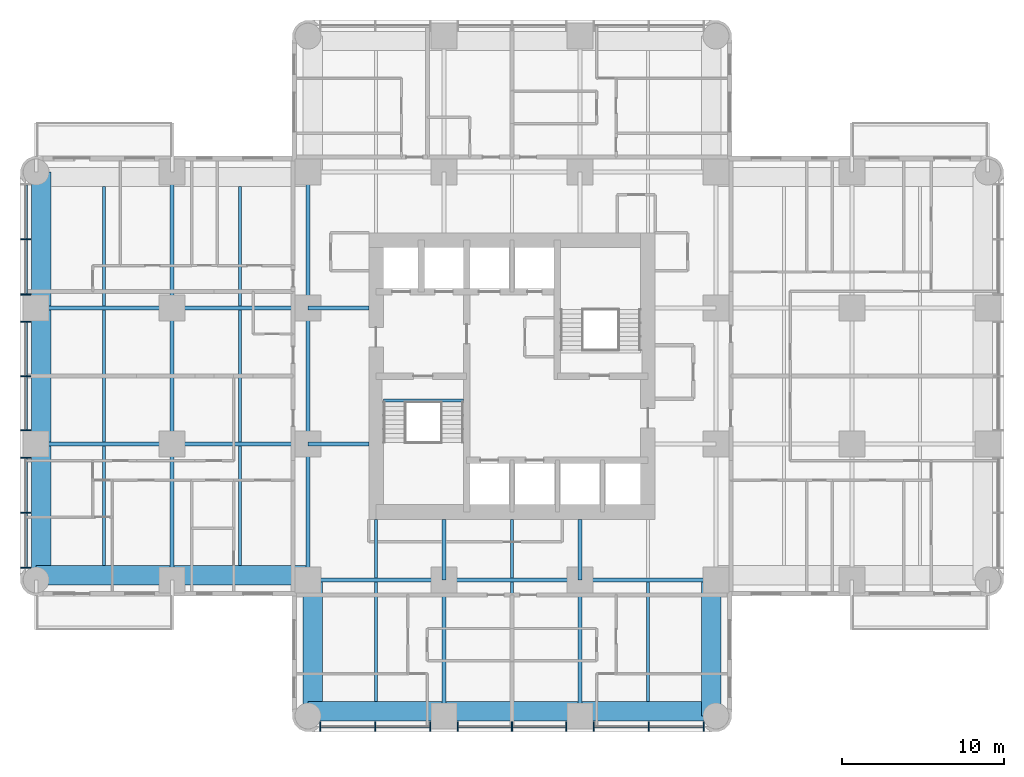
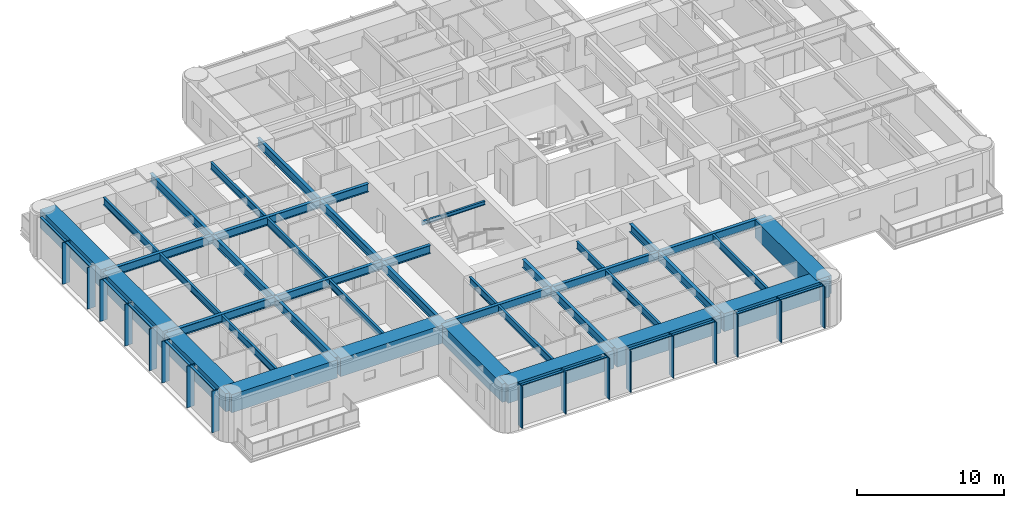
# One storey, part 2 of 14: 41 beams, 29 members, 2 elements without a shape of their own.
"""IFC4 building model written with IfcOpenShell, lengths in metres."""

from ifc_helpers import new_model, si_unit, direction, frame, origin, origin_2d, place, context, subcontext, project, spatial, rectangle, i_section, extrude, material, material_profile, profile_set, type_object, element, aggregate, save


model = new_model("IFC4")

# Units and contexts
model_context = context("Model", 3, precision=1e-05, world=origin(), true_north=direction((0.0, 1.0)))
body_context = subcontext(model_context, "Body", "Model", "MODEL_VIEW")
ifc_project = project(units=[si_unit("LENGTHUNIT", "METRE"), si_unit("AREAUNIT", "SQUARE_METRE"), si_unit("VOLUMEUNIT", "CUBIC_METRE"), si_unit("PLANEANGLEUNIT", "RADIAN"), si_unit("MASSUNIT", "GRAM", prefix="KILO")], contexts=[model_context])

# Site, building, storey
site_placement = place(None, origin())
site = spatial("IfcSite", under=ifc_project, at=site_placement, CompositionType="ELEMENT")
building_placement = place(site_placement, origin())
building = spatial("IfcBuilding", under=site, at=building_placement, Name="Torre Alcanfor", CompositionType="ELEMENT")
storey_placement = place(building_placement, frame((0.0, 0.0, 134.10009765625)))
storey = spatial("IfcBuildingStorey", under=building, at=storey_placement, Name="L34", CompositionType="ELEMENT", Elevation=134.10009765625)

# Curtain wall, members
ifc_material_1 = material(Name="Aluminium and glass", Category="aluminium")
curtain_wall_type = type_object("IfcCurtainWallType", Name="CW-A unitised apartment glazing with vertical FIN", PredefinedType="NOTDEFINED", material=ifc_material_1)
curtain_wall_1_placement = place(storey_placement, origin())
curtain_wall_1 = element("IfcCurtainWall", 1, at=curtain_wall_1_placement, inside=storey, type_object=curtain_wall_type, Name="Curtain wall CW-A L34 2", PredefinedType="NOTDEFINED")
ifc_material_2 = material(Name="Bronze anodised aluminium", Category="aluminium")
ifc_material_profile_1 = material_profile(ifc_material_2, rectangle(XDim=0.60009765625, YDim=0.06494140625, at=origin_2d()), Name="CW-A mullion 65x600")
ifc_profile_set_1 = profile_set([ifc_material_profile_1], Name="Bronze anodised aluminium")
member_type_1 = type_object("IfcMemberType", Name="CW-A mullion with vertical FIN 65x600", PredefinedType="MULLION", material=ifc_profile_set_1)
member_1_placement = place(storey_placement, frame((-0.64990234375, 37.840087890625, 0.0), z_axis=(0.0, 0.0, 1.0), x_axis=(1.0, 0.0, 0.0)))
member_1 = element("IfcMember", 2, at=member_1_placement, type_object=member_type_1, Name="CW-A mullion 1.2", PredefinedType="MULLION", context=body_context, shape_type="SweptSolid", body=[
    extrude(rectangle(XDim=0.60009765625, YDim=0.06494140625, at=origin_2d()), origin(), (0.0, 0.0, 1.0), 3.449951171875),
])
member_2_placement = place(storey_placement, frame((-0.64990234375, 34.4375, 0.0), z_axis=(0.0, 0.0, 1.0), x_axis=(1.0, 0.0, 0.0)))
member_2 = element("IfcMember", 3, at=member_2_placement, type_object=member_type_1, Name="CW-A mullion 1.3", PredefinedType="MULLION", context=body_context, shape_type="SweptSolid", body=[
    extrude(rectangle(XDim=0.60009765625, YDim=0.06494140625, at=origin_2d()), origin(), (0.0, 0.0, 1.0), 3.449951171875),
])
member_3_placement = place(storey_placement, frame((-0.64990234375, 32.762451171875, 0.0), z_axis=(0.0, 0.0, 1.0), x_axis=(1.0, 0.0, 0.0)))
member_3 = element("IfcMember", 4, at=member_3_placement, type_object=member_type_1, Name="CW-A mullion 2.1", PredefinedType="MULLION", context=body_context, shape_type="SweptSolid", body=[
    extrude(rectangle(XDim=0.60009765625, YDim=0.06494140625, at=origin_2d()), origin(), (0.0, 0.0, 1.0), 3.449951171875),
])
member_4_placement = place(storey_placement, frame((-0.64990234375, 29.39990234375, 0.0), z_axis=(0.0, 0.0, 1.0), x_axis=(1.0, 0.0, 0.0)))
member_4 = element("IfcMember", 5, at=member_4_placement, type_object=member_type_1, Name="CW-A mullion 2.2", PredefinedType="MULLION", context=body_context, shape_type="SweptSolid", body=[
    extrude(rectangle(XDim=0.60009765625, YDim=0.06494140625, at=origin_2d()), origin(), (0.0, 0.0, 1.0), 3.449951171875),
])
member_5_placement = place(storey_placement, frame((-0.64990234375, 26.03759765625, 0.0), z_axis=(0.0, 0.0, 1.0), x_axis=(1.0, 0.0, 0.0)))
member_5 = element("IfcMember", 6, at=member_5_placement, type_object=member_type_1, Name="CW-A mullion 2.3", PredefinedType="MULLION", context=body_context, shape_type="SweptSolid", body=[
    extrude(rectangle(XDim=0.60009765625, YDim=0.06494140625, at=origin_2d()), origin(), (0.0, 0.0, 1.0), 3.449951171875),
])
member_6_placement = place(storey_placement, frame((-0.64990234375, 24.362548828125, 0.0), z_axis=(0.0, 0.0, 1.0), x_axis=(1.0, 0.0, 0.0)))
member_6 = element("IfcMember", 7, at=member_6_placement, type_object=member_type_1, Name="CW-A mullion 3.1", PredefinedType="MULLION", context=body_context, shape_type="SweptSolid", body=[
    extrude(rectangle(XDim=0.60009765625, YDim=0.06494140625, at=origin_2d()), origin(), (0.0, 0.0, 1.0), 3.449951171875),
])
member_7_placement = place(storey_placement, frame((-0.64990234375, 20.9599609375, 0.0), z_axis=(0.0, 0.0, 1.0), x_axis=(1.0, 0.0, 0.0)))
member_7 = element("IfcMember", 8, at=member_7_placement, type_object=member_type_1, Name="CW-A mullion 3.2", PredefinedType="MULLION", context=body_context, shape_type="SweptSolid", body=[
    extrude(rectangle(XDim=0.60009765625, YDim=0.06494140625, at=origin_2d()), origin(), (0.0, 0.0, 1.0), 3.449951171875),
])
member_8_placement = place(storey_placement, frame((-0.64990234375, 17.557373046875, 0.0), z_axis=(0.0, 0.0, 1.0), x_axis=(1.0, 0.0, 0.0)))
member_8 = element("IfcMember", 9, at=member_8_placement, type_object=member_type_1, Name="CW-A mullion 3.3", PredefinedType="MULLION", context=body_context, shape_type="SweptSolid", body=[
    extrude(rectangle(XDim=0.60009765625, YDim=0.06494140625, at=origin_2d()), origin(), (0.0, 0.0, 1.0), 3.449951171875),
])

curtain_wall_2_placement = place(storey_placement, origin())
curtain_wall_2 = element("IfcCurtainWall", 10, at=curtain_wall_2_placement, inside=storey, type_object=curtain_wall_type, Name="Curtain wall CW-A L34 5", PredefinedType="NOTDEFINED")
member_9_placement = place(storey_placement, frame((17.557373046875, 7.75, 0.0), z_axis=(0.0, 0.0, 1.0), x_axis=(0.0, 1.0, 0.0)))
member_9 = element("IfcMember", 11, at=member_9_placement, type_object=member_type_1, Name="CW-A mullion 1.1", PredefinedType="MULLION", context=body_context, shape_type="SweptSolid", body=[
    extrude(rectangle(XDim=0.60009765625, YDim=0.06494140625, at=origin_2d()), origin(), (0.0, 0.0, 1.0), 3.449951171875),
])
member_10_placement = place(storey_placement, frame((20.9599609375, 7.75, 0.0), z_axis=(0.0, 0.0, 1.0), x_axis=(0.0, 1.0, 0.0)))
member_10 = element("IfcMember", 12, at=member_10_placement, type_object=member_type_1, Name="CW-A mullion 1.2", PredefinedType="MULLION", context=body_context, shape_type="SweptSolid", body=[
    extrude(rectangle(XDim=0.60009765625, YDim=0.06494140625, at=origin_2d()), origin(), (0.0, 0.0, 1.0), 3.449951171875),
])
member_11_placement = place(storey_placement, frame((24.362548828125, 7.75, 0.0), z_axis=(0.0, 0.0, 1.0), x_axis=(0.0, 1.0, 0.0)))
member_11 = element("IfcMember", 13, at=member_11_placement, type_object=member_type_1, Name="CW-A mullion 1.3", PredefinedType="MULLION", context=body_context, shape_type="SweptSolid", body=[
    extrude(rectangle(XDim=0.60009765625, YDim=0.06494140625, at=origin_2d()), origin(), (0.0, 0.0, 1.0), 3.449951171875),
])
member_12_placement = place(storey_placement, frame((26.03759765625, 7.75, 0.0), z_axis=(0.0, 0.0, 1.0), x_axis=(0.0, 1.0, 0.0)))
member_12 = element("IfcMember", 14, at=member_12_placement, type_object=member_type_1, Name="CW-A mullion 2.1", PredefinedType="MULLION", context=body_context, shape_type="SweptSolid", body=[
    extrude(rectangle(XDim=0.60009765625, YDim=0.06494140625, at=origin_2d()), origin(), (0.0, 0.0, 1.0), 3.449951171875),
])
member_13_placement = place(storey_placement, frame((29.39990234375, 7.75, 0.0), z_axis=(0.0, 0.0, 1.0), x_axis=(0.0, 1.0, 0.0)))
member_13 = element("IfcMember", 15, at=member_13_placement, type_object=member_type_1, Name="CW-A mullion 2.2", PredefinedType="MULLION", context=body_context, shape_type="SweptSolid", body=[
    extrude(rectangle(XDim=0.60009765625, YDim=0.06494140625, at=origin_2d()), origin(), (0.0, 0.0, 1.0), 3.449951171875),
])
member_14_placement = place(storey_placement, frame((32.762451171875, 7.75, 0.0), z_axis=(0.0, 0.0, 1.0), x_axis=(0.0, 1.0, 0.0)))
member_14 = element("IfcMember", 16, at=member_14_placement, type_object=member_type_1, Name="CW-A mullion 2.3", PredefinedType="MULLION", context=body_context, shape_type="SweptSolid", body=[
    extrude(rectangle(XDim=0.60009765625, YDim=0.06494140625, at=origin_2d()), origin(), (0.0, 0.0, 1.0), 3.449951171875),
])
member_15_placement = place(storey_placement, frame((34.4375, 7.75, 0.0), z_axis=(0.0, 0.0, 1.0), x_axis=(0.0, 1.0, 0.0)))
member_15 = element("IfcMember", 17, at=member_15_placement, type_object=member_type_1, Name="CW-A mullion 3.1", PredefinedType="MULLION", context=body_context, shape_type="SweptSolid", body=[
    extrude(rectangle(XDim=0.60009765625, YDim=0.06494140625, at=origin_2d()), origin(), (0.0, 0.0, 1.0), 3.449951171875),
])
member_16_placement = place(storey_placement, frame((37.840087890625, 7.75, 0.0), z_axis=(0.0, 0.0, 1.0), x_axis=(0.0, 1.0, 0.0)))
member_16 = element("IfcMember", 18, at=member_16_placement, type_object=member_type_1, Name="CW-A mullion 3.2", PredefinedType="MULLION", context=body_context, shape_type="SweptSolid", body=[
    extrude(rectangle(XDim=0.60009765625, YDim=0.06494140625, at=origin_2d()), origin(), (0.0, 0.0, 1.0), 3.449951171875),
])
member_17_placement = place(storey_placement, frame((41.24267578125, 7.75, 0.0), z_axis=(0.0, 0.0, 1.0), x_axis=(0.0, 1.0, 0.0)))
member_17 = element("IfcMember", 19, at=member_17_placement, type_object=member_type_1, Name="CW-A mullion 3.3", PredefinedType="MULLION", context=body_context, shape_type="SweptSolid", body=[
    extrude(rectangle(XDim=0.60009765625, YDim=0.06494140625, at=origin_2d()), origin(), (0.0, 0.0, 1.0), 3.449951171875),
])

# Member
ifc_material_3 = material(Name="Extruded aluminium", Category="aluminium")
ifc_material_profile_2 = material_profile(ifc_material_3, rectangle(XDim=0.199951171875, YDim=0.06494140625, at=origin_2d()), Name="CW-A transom 200x65")
ifc_profile_set_2 = profile_set([ifc_material_profile_2], Name="Extruded aluminium")
member_type_2 = type_object("IfcMemberType", Name="CW-A transom 65x200", PredefinedType="USERDEFINED", material=ifc_profile_set_2)
member_18_placement = place(storey_placement, frame((-0.64990234375, 41.210205078125, 3.41748046875), z_axis=(0.0, -1.0, 0.0), x_axis=(1.0, 0.0, 0.0)))
member_18 = element("IfcMember", 20, at=member_18_placement, type_object=member_type_2, Name="CW-A transom 1.1.2", ObjectType="TRANSOM", PredefinedType="USERDEFINED", context=body_context, shape_type="SweptSolid", body=[
    extrude(rectangle(XDim=0.199951171875, YDim=0.06494140625, at=origin_2d()), origin(), (0.0, 0.0, 1.0), 3.337646484375),
])

member_19_placement = place(storey_placement, frame((-0.64990234375, 37.8076171875, 3.41748046875), z_axis=(0.0, -1.0, 0.0), x_axis=(1.0, 0.0, 0.0)))
member_19 = element("IfcMember", 21, at=member_19_placement, type_object=member_type_2, Name="CW-A transom 1.2.2", ObjectType="TRANSOM", PredefinedType="USERDEFINED", context=body_context, shape_type="SweptSolid", body=[
    extrude(rectangle(XDim=0.199951171875, YDim=0.06494140625, at=origin_2d()), origin(), (0.0, 0.0, 1.0), 3.337646484375),
])

member_20_placement = place(storey_placement, frame((-0.64990234375, 32.72998046875, 3.41748046875), z_axis=(0.0, -1.0, 0.0), x_axis=(1.0, 0.0, 0.0)))
member_20 = element("IfcMember", 22, at=member_20_placement, type_object=member_type_2, Name="CW-A transom 2.1.2", ObjectType="TRANSOM", PredefinedType="USERDEFINED", context=body_context, shape_type="SweptSolid", body=[
    extrude(rectangle(XDim=0.199951171875, YDim=0.06494140625, at=origin_2d()), origin(), (0.0, 0.0, 1.0), 3.29736328125),
])

member_21_placement = place(storey_placement, frame((-0.64990234375, 29.367431640625, 3.41748046875), z_axis=(0.0, -1.0, 0.0), x_axis=(1.0, 0.0, 0.0)))
member_21 = element("IfcMember", 23, at=member_21_placement, type_object=member_type_2, Name="CW-A transom 2.2.2", ObjectType="TRANSOM", PredefinedType="USERDEFINED", context=body_context, shape_type="SweptSolid", body=[
    extrude(rectangle(XDim=0.199951171875, YDim=0.06494140625, at=origin_2d()), origin(), (0.0, 0.0, 1.0), 3.29736328125),
])

member_22_placement = place(storey_placement, frame((-0.64990234375, 24.330078125, 3.41748046875), z_axis=(0.0, -1.0, 0.0), x_axis=(1.0, 0.0, 0.0)))
member_22 = element("IfcMember", 24, at=member_22_placement, type_object=member_type_2, Name="CW-A transom 3.1.2", ObjectType="TRANSOM", PredefinedType="USERDEFINED", context=body_context, shape_type="SweptSolid", body=[
    extrude(rectangle(XDim=0.199951171875, YDim=0.06494140625, at=origin_2d()), origin(), (0.0, 0.0, 1.0), 3.337646484375),
])

member_23_placement = place(storey_placement, frame((-0.64990234375, 20.927490234375, 3.41748046875), z_axis=(0.0, -1.0, 0.0), x_axis=(1.0, 0.0, 0.0)))
member_23 = element("IfcMember", 25, at=member_23_placement, type_object=member_type_2, Name="CW-A transom 3.2.2", ObjectType="TRANSOM", PredefinedType="USERDEFINED", context=body_context, shape_type="SweptSolid", body=[
    extrude(rectangle(XDim=0.199951171875, YDim=0.06494140625, at=origin_2d()), origin(), (0.0, 0.0, 1.0), 3.337646484375),
])

aggregate(curtain_wall_1, [member_1, member_2, member_18, member_19, member_3, member_4, member_5, member_20, member_21, member_6, member_7, member_8, member_22, member_23])

member_24_placement = place(storey_placement, frame((17.58984375, 7.75, 3.41748046875), z_axis=(1.0, 0.0, 0.0), x_axis=(0.0, 1.0, 0.0)))
member_24 = element("IfcMember", 26, at=member_24_placement, type_object=member_type_2, Name="CW-A transom 1.1.2", ObjectType="TRANSOM", PredefinedType="USERDEFINED", context=body_context, shape_type="SweptSolid", body=[
    extrude(rectangle(XDim=0.199951171875, YDim=0.06494140625, at=origin_2d()), origin(), (0.0, 0.0, 1.0), 3.337646484375),
])

member_25_placement = place(storey_placement, frame((20.992431640625, 7.75, 3.41748046875), z_axis=(1.0, 0.0, 0.0), x_axis=(0.0, 1.0, 0.0)))
member_25 = element("IfcMember", 27, at=member_25_placement, type_object=member_type_2, Name="CW-A transom 1.2.2", ObjectType="TRANSOM", PredefinedType="USERDEFINED", context=body_context, shape_type="SweptSolid", body=[
    extrude(rectangle(XDim=0.199951171875, YDim=0.06494140625, at=origin_2d()), origin(), (0.0, 0.0, 1.0), 3.337646484375),
])

member_26_placement = place(storey_placement, frame((26.070068359375, 7.75, 3.41748046875), z_axis=(1.0, 0.0, 0.0), x_axis=(0.0, 1.0, 0.0)))
member_26 = element("IfcMember", 28, at=member_26_placement, type_object=member_type_2, Name="CW-A transom 2.1.2", ObjectType="TRANSOM", PredefinedType="USERDEFINED", context=body_context, shape_type="SweptSolid", body=[
    extrude(rectangle(XDim=0.199951171875, YDim=0.06494140625, at=origin_2d()), origin(), (0.0, 0.0, 1.0), 3.29736328125),
])

member_27_placement = place(storey_placement, frame((29.4326171875, 7.75, 3.41748046875), z_axis=(1.0, 0.0, 0.0), x_axis=(0.0, 1.0, 0.0)))
member_27 = element("IfcMember", 29, at=member_27_placement, type_object=member_type_2, Name="CW-A transom 2.2.2", ObjectType="TRANSOM", PredefinedType="USERDEFINED", context=body_context, shape_type="SweptSolid", body=[
    extrude(rectangle(XDim=0.199951171875, YDim=0.06494140625, at=origin_2d()), origin(), (0.0, 0.0, 1.0), 3.29736328125),
])

member_28_placement = place(storey_placement, frame((34.469970703125, 7.75, 3.41748046875), z_axis=(1.0, 0.0, 0.0), x_axis=(0.0, 1.0, 0.0)))
member_28 = element("IfcMember", 30, at=member_28_placement, type_object=member_type_2, Name="CW-A transom 3.1.2", ObjectType="TRANSOM", PredefinedType="USERDEFINED", context=body_context, shape_type="SweptSolid", body=[
    extrude(rectangle(XDim=0.199951171875, YDim=0.06494140625, at=origin_2d()), origin(), (0.0, 0.0, 1.0), 3.337646484375),
])

member_29_placement = place(storey_placement, frame((37.87255859375, 7.75, 3.41748046875), z_axis=(1.0, 0.0, 0.0), x_axis=(0.0, 1.0, 0.0)))
member_29 = element("IfcMember", 31, at=member_29_placement, type_object=member_type_2, Name="CW-A transom 3.2.2", ObjectType="TRANSOM", PredefinedType="USERDEFINED", context=body_context, shape_type="SweptSolid", body=[
    extrude(rectangle(XDim=0.199951171875, YDim=0.06494140625, at=origin_2d()), origin(), (0.0, 0.0, 1.0), 3.337646484375),
])

aggregate(curtain_wall_2, [member_9, member_10, member_11, member_24, member_25, member_12, member_13, member_14, member_26, member_27, member_15, member_16, member_17, member_28, member_29])

# Beams
ifc_material_4 = material(Name="Steel ASTM A992 Grade 50", Category="steel")
ifc_material_profile_3 = material_profile(ifc_material_4, i_section(OverallWidth=0.25390625, OverallDepth=0.683349609375, WebThickness=0.012451171875, FlangeThickness=0.01904296875, at=origin_2d()), Name="W27x94")
ifc_profile_set_3 = profile_set([ifc_material_profile_3], Name="Steel ASTM A992 Grade 50")
beam_type_1 = type_object("IfcBeamType", Name="Girder W27x94", PredefinedType="BEAM", material=ifc_profile_set_3)
beam_1_placement = place(storey_placement, frame((16.800048828125, 16.800048828125, 3.108154296875), z_axis=(1.0, 0.0, 0.0), x_axis=(0.0, 1.0, 0.0)))
element("IfcBeam", 32, at=beam_1_placement, inside=storey, type_object=beam_type_1, Name="Beam 3E-4E under L35", PredefinedType="BEAM", context=body_context, shape_type="SweptSolid", body=[
    extrude(i_section(OverallWidth=0.25390625, OverallDepth=0.683349609375, WebThickness=0.012451171875, FlangeThickness=0.01904296875, at=origin_2d()), origin(), (0.0, 0.0, 1.0), 8.39990234375),
])
beam_2_placement = place(storey_placement, frame((25.199951171875, 16.800048828125, 3.108154296875), z_axis=(1.0, 0.0, 0.0), x_axis=(0.0, 1.0, 0.0)))
element("IfcBeam", 33, at=beam_2_placement, inside=storey, type_object=beam_type_1, Name="Beam 4E-5E under L35", PredefinedType="BEAM", context=body_context, shape_type="SweptSolid", body=[
    extrude(i_section(OverallWidth=0.25390625, OverallDepth=0.683349609375, WebThickness=0.012451171875, FlangeThickness=0.01904296875, at=origin_2d()), origin(), (0.0, 0.0, 1.0), 8.400146484375),
])
for number, where, z_axis, x_axis, name in (
    (34, (33.60009765625, 16.800048828125, 3.108154296875), (1.0, 0.0, 0.0), (0.0, 1.0, 0.0), "Beam 5E-6E under L35"),
    (35, (0.0, 25.199951171875, 3.108154296875), (1.0, 0.0, 0.0), (0.0, 1.0, 0.0), "Beam 1F-2F under L35"),
):
    element("IfcBeam", number, at=place(storey_placement, frame(where, z_axis=z_axis, x_axis=x_axis)), inside=storey, type_object=beam_type_1, Name=name, PredefinedType="BEAM", context=body_context, shape_type="SweptSolid", body=[
        extrude(i_section(OverallWidth=0.25390625, OverallDepth=0.683349609375, WebThickness=0.012451171875, FlangeThickness=0.01904296875, at=origin_2d()), origin(), (0.0, 0.0, 1.0), 8.39990234375),
    ])
beam_3_placement = place(storey_placement, frame((8.39990234375, 25.199951171875, 3.108154296875), z_axis=(1.0, 0.0, 0.0), x_axis=(0.0, 1.0, 0.0)))
element("IfcBeam", 36, at=beam_3_placement, inside=storey, type_object=beam_type_1, Name="Beam 2F-3F under L35", PredefinedType="BEAM", context=body_context, shape_type="SweptSolid", body=[
    extrude(i_section(OverallWidth=0.25390625, OverallDepth=0.683349609375, WebThickness=0.012451171875, FlangeThickness=0.01904296875, at=origin_2d()), origin(), (0.0, 0.0, 1.0), 8.400146484375),
])
beam_4_placement = place(storey_placement, frame((0.0, 33.60009765625, 3.108154296875), z_axis=(1.0, 0.0, 0.0), x_axis=(0.0, 1.0, 0.0)))
element("IfcBeam", 37, at=beam_4_placement, inside=storey, type_object=beam_type_1, Name="Beam 1G-2G under L35", PredefinedType="BEAM", context=body_context, shape_type="SweptSolid", body=[
    extrude(i_section(OverallWidth=0.25390625, OverallDepth=0.683349609375, WebThickness=0.012451171875, FlangeThickness=0.01904296875, at=origin_2d()), origin(), (0.0, 0.0, 1.0), 8.39990234375),
])
beam_5_placement = place(storey_placement, frame((8.39990234375, 33.60009765625, 3.108154296875), z_axis=(1.0, 0.0, 0.0), x_axis=(0.0, 1.0, 0.0)))
element("IfcBeam", 38, at=beam_5_placement, inside=storey, type_object=beam_type_1, Name="Beam 2G-3G under L35", PredefinedType="BEAM", context=body_context, shape_type="SweptSolid", body=[
    extrude(i_section(OverallWidth=0.25390625, OverallDepth=0.683349609375, WebThickness=0.012451171875, FlangeThickness=0.01904296875, at=origin_2d()), origin(), (0.0, 0.0, 1.0), 8.400146484375),
])
beam_6_placement = place(storey_placement, frame((8.39990234375, 16.800048828125, 3.108154296875), z_axis=(0.0, 1.0, 0.0), x_axis=(-1.0, 0.0, 0.0)))
element("IfcBeam", 39, at=beam_6_placement, inside=storey, type_object=beam_type_1, Name="Beam 2E-2F under L35", PredefinedType="BEAM", context=body_context, shape_type="SweptSolid", body=[
    extrude(i_section(OverallWidth=0.25390625, OverallDepth=0.683349609375, WebThickness=0.012451171875, FlangeThickness=0.01904296875, at=origin_2d()), origin(), (0.0, 0.0, 1.0), 8.39990234375),
])
beam_7_placement = place(storey_placement, frame((8.39990234375, 25.199951171875, 3.108154296875), z_axis=(0.0, 1.0, 0.0), x_axis=(-1.0, 0.0, 0.0)))
element("IfcBeam", 40, at=beam_7_placement, inside=storey, type_object=beam_type_1, Name="Beam 2F-2G under L35", PredefinedType="BEAM", context=body_context, shape_type="SweptSolid", body=[
    extrude(i_section(OverallWidth=0.25390625, OverallDepth=0.683349609375, WebThickness=0.012451171875, FlangeThickness=0.01904296875, at=origin_2d()), origin(), (0.0, 0.0, 1.0), 8.400146484375),
])
for number, where, z_axis, x_axis, name in (
    (41, (8.39990234375, 33.60009765625, 3.108154296875), (0.0, 1.0, 0.0), (-1.0, 0.0, 0.0), "Beam 2G-2H under L35"),
    (42, (16.800048828125, 16.800048828125, 3.108154296875), (0.0, 1.0, 0.0), (-1.0, 0.0, 0.0), "Beam 3E-3F under L35"),
):
    element("IfcBeam", number, at=place(storey_placement, frame(where, z_axis=z_axis, x_axis=x_axis)), inside=storey, type_object=beam_type_1, Name=name, PredefinedType="BEAM", context=body_context, shape_type="SweptSolid", body=[
        extrude(i_section(OverallWidth=0.25390625, OverallDepth=0.683349609375, WebThickness=0.012451171875, FlangeThickness=0.01904296875, at=origin_2d()), origin(), (0.0, 0.0, 1.0), 8.39990234375),
    ])
beam_8_placement = place(storey_placement, frame((16.800048828125, 25.199951171875, 3.108154296875), z_axis=(0.0, 1.0, 0.0), x_axis=(-1.0, 0.0, 0.0)))
element("IfcBeam", 43, at=beam_8_placement, inside=storey, type_object=beam_type_1, Name="Beam 3F-3G under L35", PredefinedType="BEAM", context=body_context, shape_type="SweptSolid", body=[
    extrude(i_section(OverallWidth=0.25390625, OverallDepth=0.683349609375, WebThickness=0.012451171875, FlangeThickness=0.01904296875, at=origin_2d()), origin(), (0.0, 0.0, 1.0), 8.400146484375),
])
beam_9_placement = place(storey_placement, frame((16.800048828125, 33.60009765625, 3.108154296875), z_axis=(0.0, 1.0, 0.0), x_axis=(-1.0, 0.0, 0.0)))
element("IfcBeam", 44, at=beam_9_placement, inside=storey, type_object=beam_type_1, Name="Beam 3G-3H under L35", PredefinedType="BEAM", context=body_context, shape_type="SweptSolid", body=[
    extrude(i_section(OverallWidth=0.25390625, OverallDepth=0.683349609375, WebThickness=0.012451171875, FlangeThickness=0.01904296875, at=origin_2d()), origin(), (0.0, 0.0, 1.0), 8.39990234375),
])
for number, where, z_axis, x_axis, name in (
    (45, (25.199951171875, 8.39990234375, 3.108154296875), (0.0, 1.0, 0.0), (-1.0, 0.0, 0.0), "Beam 4D-4E under L35"),
    (46, (33.60009765625, 8.39990234375, 3.108154296875), (0.0, 1.0, 0.0), (-1.0, 0.0, 0.0), "Beam 5D-5E under L35"),
):
    element("IfcBeam", number, at=place(storey_placement, frame(where, z_axis=z_axis, x_axis=x_axis)), inside=storey, type_object=beam_type_1, Name=name, PredefinedType="BEAM", context=body_context, shape_type="SweptSolid", body=[
        extrude(i_section(OverallWidth=0.25390625, OverallDepth=0.683349609375, WebThickness=0.012451171875, FlangeThickness=0.01904296875, at=origin_2d()), origin(), (0.0, 0.0, 1.0), 8.400146484375),
    ])
ifc_material_5 = material(Name="Steel ASTM A992 Grade 50", Category="steel")
ifc_material_profile_4 = material_profile(ifc_material_5, i_section(OverallWidth=0.25390625, OverallDepth=0.683349609375, WebThickness=0.012451171875, FlangeThickness=0.01904296875, at=origin_2d()), Name="W27x94")
ifc_profile_set_4 = profile_set([ifc_material_profile_4], Name="Steel ASTM A992 Grade 50")
beam_type_2 = type_object("IfcBeamType", Name="Girder, part bay W27x94", PredefinedType="BEAM", material=ifc_profile_set_4)
for number, where, z_axis, x_axis, name in (
    (47, (25.199951171875, 16.800048828125, 3.108154296875), (0.0, 1.0, 0.0), (-1.0, 0.0, 0.0), "Beam 4E-420_55 under L35"),
    (48, (33.60009765625, 16.800048828125, 3.108154296875), (0.0, 1.0, 0.0), (-1.0, 0.0, 0.0), "Beam 5E-520_55 under L35"),
    (49, (16.800048828125, 25.199951171875, 3.108154296875), (1.0, 0.0, 0.0), (0.0, 1.0, 0.0), "Beam 3F-20_55F under L35"),
    (50, (16.800048828125, 33.60009765625, 3.108154296875), (1.0, 0.0, 0.0), (0.0, 1.0, 0.0), "Beam 3G-20_55G under L35"),
):
    element("IfcBeam", number, at=place(storey_placement, frame(where, z_axis=z_axis, x_axis=x_axis)), inside=storey, type_object=beam_type_2, Name=name, PredefinedType="BEAM", context=body_context, shape_type="SweptSolid", body=[
        extrude(i_section(OverallWidth=0.25390625, OverallDepth=0.683349609375, WebThickness=0.012451171875, FlangeThickness=0.01904296875, at=origin_2d()), origin(), (0.0, 0.0, 1.0), 3.75),
    ])
ifc_material_6 = material(Name="Concrete f'c 70 MPa", Category="concrete")
ifc_material_profile_5 = material_profile(ifc_material_6, rectangle(XDim=1.199951171875, YDim=1.5, at=origin_2d()), Name="1200x1500")
ifc_profile_set_5 = profile_set([ifc_material_profile_5], Name="Concrete f'c 70 MPa")
beam_type_3 = type_object("IfcBeamType", Name="RC perimeter beam 1200x1500", PredefinedType="BEAM", material=ifc_profile_set_5)
beam_10_placement = place(storey_placement, frame((16.800048828125, 8.699951171875, 2.699951171875), z_axis=(1.0, 0.0, 0.0), x_axis=(0.0, 1.0, 0.0)))
element("IfcBeam", 51, at=beam_10_placement, inside=storey, type_object=beam_type_3, Name="Beam 3D-4D under L35", PredefinedType="BEAM", context=body_context, shape_type="SweptSolid", body=[
    extrude(rectangle(XDim=1.199951171875, YDim=1.5, at=origin_2d()), origin(), (0.0, 0.0, 1.0), 8.27294921875),
])
beam_11_placement = place(storey_placement, frame((25.326904296875, 8.699951171875, 2.699951171875), z_axis=(1.0, 0.0, 0.0), x_axis=(0.0, 1.0, 0.0)))
element("IfcBeam", 52, at=beam_11_placement, inside=storey, type_object=beam_type_3, Name="Beam 4D-5D under L35", PredefinedType="BEAM", context=body_context, shape_type="SweptSolid", body=[
    extrude(rectangle(XDim=1.199951171875, YDim=1.5, at=origin_2d()), origin(), (0.0, 0.0, 1.0), 8.14599609375),
])
for number, where, z_axis, x_axis, name in (
    (53, (33.72705078125, 8.699951171875, 2.699951171875), (1.0, 0.0, 0.0), (0.0, 1.0, 0.0), "Beam 5D-6D under L35"),
    (54, (0.0, 17.10009765625, 2.699951171875), (1.0, 0.0, 0.0), (0.0, 1.0, 0.0), "Beam 1E-2E under L35"),
):
    element("IfcBeam", number, at=place(storey_placement, frame(where, z_axis=z_axis, x_axis=x_axis)), inside=storey, type_object=beam_type_3, Name=name, PredefinedType="BEAM", context=body_context, shape_type="SweptSolid", body=[
        extrude(rectangle(XDim=1.199951171875, YDim=1.5, at=origin_2d()), origin(), (0.0, 0.0, 1.0), 8.27294921875),
    ])
beam_12_placement = place(storey_placement, frame((8.527099609375, 17.10009765625, 2.699951171875), z_axis=(1.0, 0.0, 0.0), x_axis=(0.0, 1.0, 0.0)))
element("IfcBeam", 55, at=beam_12_placement, inside=storey, type_object=beam_type_3, Name="Beam 2E-3E under L35", PredefinedType="BEAM", context=body_context, shape_type="SweptSolid", body=[
    extrude(rectangle(XDim=1.199951171875, YDim=1.5, at=origin_2d()), origin(), (0.0, 0.0, 1.0), 8.39990234375),
])
beam_13_placement = place(storey_placement, frame((0.300048828125, 16.800048828125, 2.699951171875), z_axis=(0.0, 1.0, 0.0), x_axis=(-1.0, 0.0, 0.0)))
element("IfcBeam", 56, at=beam_13_placement, inside=storey, type_object=beam_type_3, Name="Beam 1E-1F under L35", PredefinedType="BEAM", context=body_context, shape_type="SweptSolid", body=[
    extrude(rectangle(XDim=1.199951171875, YDim=1.5, at=origin_2d()), origin(), (0.0, 0.0, 1.0), 8.27294921875),
])
beam_14_placement = place(storey_placement, frame((0.300048828125, 25.326904296875, 2.699951171875), z_axis=(0.0, 1.0, 0.0), x_axis=(-1.0, 0.0, 0.0)))
element("IfcBeam", 57, at=beam_14_placement, inside=storey, type_object=beam_type_3, Name="Beam 1F-1G under L35", PredefinedType="BEAM", context=body_context, shape_type="SweptSolid", body=[
    extrude(rectangle(XDim=1.199951171875, YDim=1.5, at=origin_2d()), origin(), (0.0, 0.0, 1.0), 8.14599609375),
])
beam_15_placement = place(storey_placement, frame((0.300048828125, 33.72705078125, 2.699951171875), z_axis=(0.0, 1.0, 0.0), x_axis=(-1.0, 0.0, 0.0)))
element("IfcBeam", 58, at=beam_15_placement, inside=storey, type_object=beam_type_3, Name="Beam 1G-1H under L35", PredefinedType="BEAM", context=body_context, shape_type="SweptSolid", body=[
    extrude(rectangle(XDim=1.199951171875, YDim=1.5, at=origin_2d()), origin(), (0.0, 0.0, 1.0), 8.27294921875),
])
for number, where, z_axis, x_axis, name in (
    (59, (17.10009765625, 8.39990234375, 2.699951171875), (0.0, 1.0, 0.0), (-1.0, 0.0, 0.0), "Beam 3D-3E under L35"),
    (60, (41.699951171875, 8.39990234375, 2.699951171875), (0.0, 1.0, 0.0), (-1.0, 0.0, 0.0), "Beam 6D-6E under L35"),
):
    element("IfcBeam", number, at=place(storey_placement, frame(where, z_axis=z_axis, x_axis=x_axis)), inside=storey, type_object=beam_type_3, Name=name, PredefinedType="BEAM", context=body_context, shape_type="SweptSolid", body=[
        extrude(rectangle(XDim=1.199951171875, YDim=1.5, at=origin_2d()), origin(), (0.0, 0.0, 1.0), 8.273193359375),
    ])
ifc_material_7 = material(Name="Steel ASTM A992 Grade 50", Category="steel")
ifc_material_profile_6 = material_profile(ifc_material_7, i_section(OverallWidth=0.1787109375, OverallDepth=0.60205078125, WebThickness=0.010986328125, FlangeThickness=0.014892578125, at=origin_2d()), Name="W24x62")
ifc_profile_set_6 = profile_set([ifc_material_profile_6], Name="Steel ASTM A992 Grade 50")
beam_type_4 = type_object("IfcBeamType", Name="Secondary beam W24x62", PredefinedType="BEAM", material=ifc_profile_set_6)
beam_16_placement = place(storey_placement, frame((4.199951171875, 17.699951171875, 3.14892578125), z_axis=(0.0, 1.0, 0.0), x_axis=(-1.0, 0.0, 0.0)))
element("IfcBeam", 61, at=beam_16_placement, inside=storey, type_object=beam_type_4, Name="Beam 4_2E-4_2F under L35", PredefinedType="BEAM", context=body_context, shape_type="SweptSolid", body=[
    extrude(i_section(OverallWidth=0.1787109375, OverallDepth=0.60205078125, WebThickness=0.010986328125, FlangeThickness=0.014892578125, at=origin_2d()), origin(), (0.0, 0.0, 1.0), 7.373046875),
])
beam_17_placement = place(storey_placement, frame((4.199951171875, 25.326904296875, 3.14892578125), z_axis=(0.0, 1.0, 0.0), x_axis=(-1.0, 0.0, 0.0)))
element("IfcBeam", 62, at=beam_17_placement, inside=storey, type_object=beam_type_4, Name="Beam 4_2F-4_2G under L35", PredefinedType="BEAM", context=body_context, shape_type="SweptSolid", body=[
    extrude(i_section(OverallWidth=0.1787109375, OverallDepth=0.60205078125, WebThickness=0.010986328125, FlangeThickness=0.014892578125, at=origin_2d()), origin(), (0.0, 0.0, 1.0), 8.14599609375),
])
for number, where, z_axis, x_axis, name in (
    (63, (4.199951171875, 33.72705078125, 3.14892578125), (0.0, 1.0, 0.0), (-1.0, 0.0, 0.0), "Beam 4_2G-4_2H under L35"),
    (64, (12.60009765625, 17.699951171875, 3.14892578125), (0.0, 1.0, 0.0), (-1.0, 0.0, 0.0), "Beam 12_6E-12_6F under L35"),
):
    element("IfcBeam", number, at=place(storey_placement, frame(where, z_axis=z_axis, x_axis=x_axis)), inside=storey, type_object=beam_type_4, Name=name, PredefinedType="BEAM", context=body_context, shape_type="SweptSolid", body=[
        extrude(i_section(OverallWidth=0.1787109375, OverallDepth=0.60205078125, WebThickness=0.010986328125, FlangeThickness=0.014892578125, at=origin_2d()), origin(), (0.0, 0.0, 1.0), 7.373046875),
    ])
beam_18_placement = place(storey_placement, frame((12.60009765625, 25.326904296875, 3.14892578125), z_axis=(0.0, 1.0, 0.0), x_axis=(-1.0, 0.0, 0.0)))
element("IfcBeam", 65, at=beam_18_placement, inside=storey, type_object=beam_type_4, Name="Beam 12_6F-12_6G under L35", PredefinedType="BEAM", context=body_context, shape_type="SweptSolid", body=[
    extrude(i_section(OverallWidth=0.1787109375, OverallDepth=0.60205078125, WebThickness=0.010986328125, FlangeThickness=0.014892578125, at=origin_2d()), origin(), (0.0, 0.0, 1.0), 8.14599609375),
])
for number, where, z_axis, x_axis, name in (
    (66, (12.60009765625, 33.72705078125, 3.14892578125), (0.0, 1.0, 0.0), (-1.0, 0.0, 0.0), "Beam 12_6G-12_6H under L35"),
    (67, (21.0, 9.300048828125, 3.14892578125), (0.0, 1.0, 0.0), (-1.0, 0.0, 0.0), "Beam 21D-21E under L35"),
    (68, (29.39990234375, 9.300048828125, 3.14892578125), (0.0, 1.0, 0.0), (-1.0, 0.0, 0.0), "Beam 29_4D-29_4E under L35"),
    (69, (37.800048828125, 9.300048828125, 3.14892578125), (0.0, 1.0, 0.0), (-1.0, 0.0, 0.0), "Beam 37_8D-37_8E under L35"),
):
    element("IfcBeam", number, at=place(storey_placement, frame(where, z_axis=z_axis, x_axis=x_axis)), inside=storey, type_object=beam_type_4, Name=name, PredefinedType="BEAM", context=body_context, shape_type="SweptSolid", body=[
        extrude(i_section(OverallWidth=0.1787109375, OverallDepth=0.60205078125, WebThickness=0.010986328125, FlangeThickness=0.014892578125, at=origin_2d()), origin(), (0.0, 0.0, 1.0), 7.373046875),
    ])
ifc_material_8 = material(Name="Steel ASTM A992 Grade 50", Category="steel")
ifc_material_profile_7 = material_profile(ifc_material_8, i_section(OverallWidth=0.1787109375, OverallDepth=0.60205078125, WebThickness=0.010986328125, FlangeThickness=0.014892578125, at=origin_2d()), Name="W24x62")
ifc_profile_set_7 = profile_set([ifc_material_profile_7], Name="Steel ASTM A992 Grade 50")
beam_type_5 = type_object("IfcBeamType", Name="Secondary beam, part bay W24x62", PredefinedType="BEAM", material=ifc_profile_set_7)
for number, where, z_axis, x_axis, name in (
    (70, (21.0, 16.927001953125, 3.14892578125), (0.0, 1.0, 0.0), (-1.0, 0.0, 0.0), "Beam 21E-2120_55 under L35"),
    (71, (29.39990234375, 16.927001953125, 3.14892578125), (0.0, 1.0, 0.0), (-1.0, 0.0, 0.0), "Beam 29_4E-29_420_55 under L35"),
):
    element("IfcBeam", number, at=place(storey_placement, frame(where, z_axis=z_axis, x_axis=x_axis)), inside=storey, type_object=beam_type_5, Name=name, PredefinedType="BEAM", context=body_context, shape_type="SweptSolid", body=[
        extrude(i_section(OverallWidth=0.1787109375, OverallDepth=0.60205078125, WebThickness=0.010986328125, FlangeThickness=0.014892578125, at=origin_2d()), origin(), (0.0, 0.0, 1.0), 3.623046875),
    ])
ifc_material_9 = material(Name="Steel ASTM A992 Grade 50", Category="steel")
ifc_material_profile_8 = material_profile(ifc_material_9, i_section(OverallWidth=0.164794921875, OverallDepth=0.309814453125, WebThickness=0.005859375, FlangeThickness=0.009765625, at=origin_2d()), Name="W12x26")
ifc_profile_set_8 = profile_set([ifc_material_profile_8], Name="Steel ASTM A992 Grade 50")
beam_type_6 = type_object("IfcBeamType", Name="Stair landing beam W12x26", PredefinedType="BEAM", material=ifc_profile_set_8)
beam_19_placement = place(storey_placement, frame((21.449951171875, 27.887451171875, 3.244873046875), z_axis=(1.0, 0.0, 0.0), x_axis=(0.0, 1.0, 0.0)))
element("IfcBeam", 72, at=beam_19_placement, inside=storey, type_object=beam_type_6, Name="Landing trimmer S1 L35", PredefinedType="BEAM", context=body_context, shape_type="SweptSolid", body=[
    extrude(i_section(OverallWidth=0.164794921875, OverallDepth=0.309814453125, WebThickness=0.005859375, FlangeThickness=0.009765625, at=origin_2d()), origin(), (0.0, 0.0, 1.0), 4.949951171875),
])

save(model, "model.ifc")
